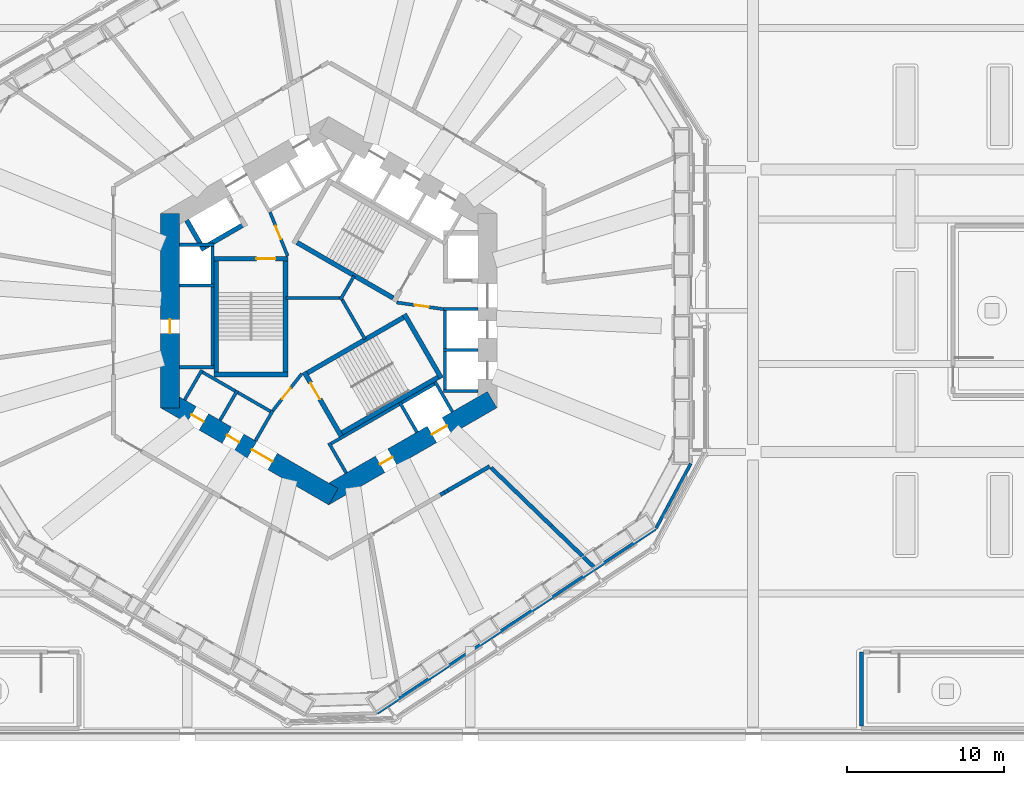
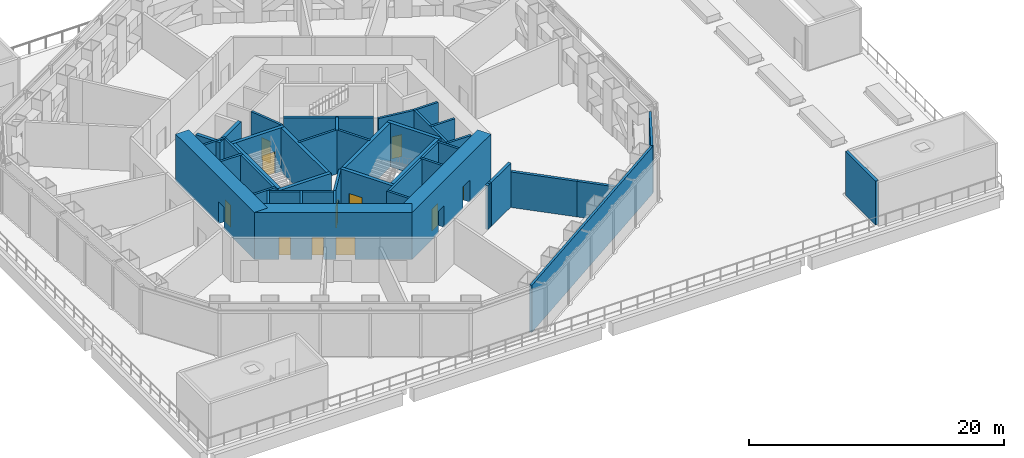
# One storey, part 7 of 20: 44 walls, 11 doors, 11 openings.
"""IFC4 building model written with IfcOpenShell, lengths in metres."""

from ifc_helpers import new_model, si_unit, direction, frame, frame_2d, origin, place, context, subcontext, project, spatial, rectangle, extrude, material, layer, layer_set, type_object, element, fill, save


model = new_model("IFC4")

# Units and contexts
model_context = context("Model", 3, precision=1e-05, world=origin(), true_north=direction((0.0, 1.0)))
body_context = subcontext(model_context, "Body", "Model", "MODEL_VIEW")
ifc_project = project(units=[si_unit("LENGTHUNIT", "METRE"), si_unit("AREAUNIT", "SQUARE_METRE"), si_unit("VOLUMEUNIT", "CUBIC_METRE"), si_unit("PLANEANGLEUNIT", "RADIAN"), si_unit("MASSUNIT", "GRAM", prefix="KILO")], contexts=[model_context])

# Site, building, storey
site_placement = place(None, origin())
site = spatial("IfcSite", under=ifc_project, at=site_placement, CompositionType="ELEMENT")
building_placement = place(site_placement, origin())
building = spatial("IfcBuilding", under=site, at=building_placement, Name="Vanh Sen Convention Tower", CompositionType="ELEMENT")
storey_placement = place(building_placement, frame((0.0, 0.0, 34.5)))
storey = spatial("IfcBuildingStorey", under=building, at=storey_placement, Name="L05", CompositionType="ELEMENT", Elevation=34.5)

# Walls
ifc_material_1 = material(Name="Concrete C40/50", Category="concrete")
ifc_layer_1 = layer(ifc_material_1, 0.25)
ifc_layer_set_1 = layer_set([ifc_layer_1], Name="Concrete C40/50")
wall_type_1 = type_object("IfcWallType", Name="Concrete wall 250 EI 180", PredefinedType="SOLIDWALL", material=ifc_layer_set_1)
wall_1_placement = place(storey_placement, frame((14.159912109375, -13.6884765625, 0.0), z_axis=(0.0, 0.0, 1.0), x_axis=(0.718925227395, -0.695087417103, 0.0)))
element("IfcWall", 1, at=wall_1_placement, inside=storey, type_object=wall_type_1, Name="Fire-resisting wall L05-012", PredefinedType="SOLIDWALL", context=body_context, shape_type="SweptSolid", body=[
    extrude(rectangle(XDim=3.7998046875, YDim=0.25, at=frame_2d((1.89990234375, 0.0))), origin(), (0.0, 0.0, 1.0), 3.39990234375),
])
wall_2_placement = place(storey_placement, frame((7.10498046875, -11.717041015625, 0.0), z_axis=(0.0, 0.0, 1.0), x_axis=(0.866119007285, 0.499837838923, 0.0)))
element("IfcWall", 2, at=wall_2_placement, inside=storey, type_object=wall_type_1, Name="Fire-resisting wall L05-013", PredefinedType="SOLIDWALL", context=body_context, shape_type="SweptSolid", body=[
    extrude(rectangle(XDim=0.30517578125, YDim=0.25, at=frame_2d((0.152587890625, 0.0))), origin(), (0.0, 0.0, 1.0), 4.199951171875),
])
wall_3_placement = place(storey_placement, frame((7.574951171875, -11.44580078125, 0.0), z_axis=(0.0, 0.0, 1.0), x_axis=(-0.86608282171, -0.499900536046, 0.0)))
element("IfcWall", 3, at=wall_3_placement, inside=storey, type_object=wall_type_1, Name="Fire-resisting wall L05-016", PredefinedType="SOLIDWALL", context=body_context, shape_type="SweptSolid", body=[
    extrude(rectangle(XDim=0.2373046875, YDim=0.25, at=frame_2d((0.11865234375, 0.0))), origin(), (0.0, 0.0, 1.0), 4.199951171875),
])
wall_4_placement = place(storey_placement, frame((10.331787109375, -9.9873046875, 0.0), z_axis=(0.0, 0.0, 1.0), x_axis=(0.718927275113, -0.695085299153, 0.0)))
element("IfcWall", 4, at=wall_4_placement, inside=storey, type_object=wall_type_1, Name="Fire-resisting wall L05-017", PredefinedType="SOLIDWALL", context=body_context, shape_type="SweptSolid", body=[
    extrude(rectangle(XDim=5.32470703125, YDim=0.25, at=frame_2d((2.662353515625, 0.0))), origin(), (0.0, 0.0, 1.0), 3.39990234375),
])
wall_5_placement = place(storey_placement, frame((10.24560546875, -9.904052734375, 0.0), z_axis=(0.0, 0.0, 1.0), x_axis=(-0.866047158059, -0.499962318598, 0.0)))
element("IfcWall", 5, at=wall_5_placement, inside=storey, type_object=wall_type_1, Name="Fire-resisting wall L05-018", PredefinedType="SOLIDWALL", context=body_context, shape_type="SweptSolid", body=[
    extrude(rectangle(XDim=3.083740234375, YDim=0.25, at=frame_2d((1.5419921875, 0.0))), origin(), (0.0, 0.0, 1.0), 4.199951171875),
])
ifc_layer_2 = layer(ifc_material_1, 0.25)
ifc_layer_set_2 = layer_set([ifc_layer_2], Name="Concrete C40/50")
wall_type_2 = type_object("IfcWallType", Name="Concrete wall 250 REI 180", PredefinedType="SOLIDWALL", material=ifc_layer_set_2)
wall_6_placement = place(storey_placement, frame((33.89990234375, -26.43994140625, 0.0), z_axis=(0.0, 0.0, 1.0), x_axis=(0.0, 1.0, 0.0)))
element("IfcWall", 6, at=wall_6_placement, inside=storey, type_object=wall_type_2, Name="Fire-resisting wall L05-001", PredefinedType="SOLIDWALL", context=body_context, shape_type="SweptSolid", body=[
    extrude(rectangle(XDim=4.71484375, YDim=0.25, at=frame_2d((2.357421875, 0.0))), origin(), (0.0, 0.0, 1.0), 4.199951171875),
])

# Wall, opening, door
ifc_material_2 = material(Name="Concrete C80/95", Category="concrete")
ifc_layer_3 = layer(ifc_material_2, 1.199951171875)
ifc_layer_set_3 = layer_set([ifc_layer_3], Name="Concrete C80/95")
wall_type_3 = type_object("IfcWallType", Name="Core outer wall 1200 C80/95", PredefinedType="SHEAR", material=ifc_layer_set_3)
wall_7_placement = place(storey_placement, frame((-10.10009765625, 6.177490234375, 0.0), z_axis=(0.0, 0.0, 1.0), x_axis=(0.0, -1.0, 0.0)))
wall_7 = element("IfcWall", 7, at=wall_7_placement, inside=storey, type_object=wall_type_3, Name="Core wall face W L05", PredefinedType="SHEAR", context=body_context, shape_type="SweptSolid", body=[
    extrude(rectangle(XDim=12.35498046875, YDim=1.199951171875, at=frame_2d((6.177490234375, 0.0))), origin(), (0.0, 0.0, 1.0), 4.5),
])
opening_1_placement = place(wall_7_placement, frame((6.7275390625, 0.0, 0.0)))
opening_1 = element("IfcOpeningElement", 8, at=opening_1_placement, cuts=wall_7, Name="Opening D05010", PredefinedType="OPENING", context=body_context, shape_type="SweptSolid", body=[
    extrude(rectangle(XDim=0.89990234375, YDim=2.10009765625, at=frame_2d((0.449951171875, 1.050048828125))), frame((0.0, 0.60986328125, 0.0), z_axis=(0.0, -1.0, 0.0), x_axis=(1.0, 0.0, 0.0)), (0.0, 0.0, 1.0), 1.219970703125),
])
ifc_material_3 = material(Name="Steel S355", Category="steel")
door_type_1 = type_object("IfcDoorType", Name="Plant door 900", OperationType="SINGLE_SWING_LEFT", PredefinedType="DOOR", material=ifc_material_3)
door_1_placement = place(opening_1_placement, origin())
door_1 = element("IfcDoor", 9, at=door_1_placement, inside=storey, type_object=door_type_1, Name="Plant door D05010", OperationType="SINGLE_SWING_LEFT", OverallHeight=2.10009765625, OverallWidth=0.89990234375, PredefinedType="DOOR", context=body_context, shape_type="SweptSolid", body=[
    extrude(rectangle(XDim=0.89990234375, YDim=2.10009765625, at=frame_2d((0.449951171875, 1.050048828125))), frame((0.0, 0.02490234375, 0.0), z_axis=(0.0, -1.0, 0.0), x_axis=(1.0, 0.0, 0.0)), (0.0, 0.0, 1.0), 0.050048828125),
])
fill(opening_1, door_1)

# Wall, openings, doors
wall_8_placement = place(storey_placement, frame((-10.39990234375, -5.657958984375, 0.0), z_axis=(0.0, 0.0, 1.0), x_axis=(0.866021384402, -0.500006961711, 0.0)))
wall_8 = element("IfcWall", 10, at=wall_8_placement, inside=storey, type_object=wall_type_3, Name="Core wall face SW L05", PredefinedType="SHEAR", context=body_context, shape_type="SweptSolid", body=[
    extrude(rectangle(XDim=12.355224609375, YDim=1.199951171875, at=frame_2d((6.177734375, 0.0))), origin(), (0.0, 0.0, 1.0), 4.5),
])
opening_2_placement = place(wall_8_placement, frame((6.377685546875, 0.0, 0.0)))
opening_2 = element("IfcOpeningElement", 11, at=opening_2_placement, cuts=wall_8, Name="Opening D05003", PredefinedType="OPENING", context=body_context, shape_type="SweptSolid", body=[
    extrude(rectangle(XDim=1.5, YDim=2.10009765625, at=frame_2d((0.75, 1.050048828125))), frame((0.0, 0.60986328125, 0.0), z_axis=(0.0, -1.0, 0.0), x_axis=(1.0, 0.0, 0.0)), (0.0, 0.0, 1.0), 1.219970703125),
])
opening_3_placement = place(wall_8_placement, frame((1.927734375, 0.0, 0.0)))
opening_3 = element("IfcOpeningElement", 12, at=opening_3_placement, cuts=wall_8, Name="Opening D05011", PredefinedType="OPENING", context=body_context, shape_type="SweptSolid", body=[
    extrude(rectangle(XDim=0.89990234375, YDim=2.10009765625, at=frame_2d((0.449951171875, 1.050048828125))), frame((0.0, 0.60986328125, 0.0), z_axis=(0.0, -1.0, 0.0), x_axis=(1.0, 0.0, 0.0)), (0.0, 0.0, 1.0), 1.219970703125),
])
opening_4_placement = place(wall_8_placement, frame((4.527587890625, 0.0, 0.0)))
opening_4 = element("IfcOpeningElement", 13, at=opening_4_placement, cuts=wall_8, Name="Opening D05012", PredefinedType="OPENING", context=body_context, shape_type="SweptSolid", body=[
    extrude(rectangle(XDim=0.89990234375, YDim=2.10009765625, at=frame_2d((0.449951171875, 1.050048828125))), frame((0.0, 0.60986328125, 0.0), z_axis=(0.0, -1.0, 0.0), x_axis=(1.0, 0.0, 0.0)), (0.0, 0.0, 1.0), 1.219970703125),
])
door_2_placement = place(opening_3_placement, origin())
door_2 = element("IfcDoor", 14, at=door_2_placement, inside=storey, type_object=door_type_1, Name="Plant door D05011", OperationType="SINGLE_SWING_LEFT", OverallHeight=2.10009765625, OverallWidth=0.89990234375, PredefinedType="DOOR", context=body_context, shape_type="SweptSolid", body=[
    extrude(rectangle(XDim=0.89990234375, YDim=2.10009765625, at=frame_2d((0.449951171875, 1.050048828125))), frame((0.0, 0.02490234375, 0.0), z_axis=(0.0, -1.0, 0.0), x_axis=(1.0, 0.0, 0.0)), (0.0, 0.0, 1.0), 0.050048828125),
])
fill(opening_3, door_2)
door_3_placement = place(opening_4_placement, origin())
door_3 = element("IfcDoor", 15, at=door_3_placement, inside=storey, type_object=door_type_1, Name="Plant door D05012", OperationType="SINGLE_SWING_LEFT", OverallHeight=2.10009765625, OverallWidth=0.89990234375, PredefinedType="DOOR", context=body_context, shape_type="SweptSolid", body=[
    extrude(rectangle(XDim=0.89990234375, YDim=2.10009765625, at=frame_2d((0.449951171875, 1.050048828125))), frame((0.0, 0.02490234375, 0.0), z_axis=(0.0, -1.0, 0.0), x_axis=(1.0, 0.0, 0.0)), (0.0, 0.0, 1.0), 0.050048828125),
])
fill(opening_4, door_3)
door_type_2 = type_object("IfcDoorType", Name="Stair lobby door 1500", OperationType="DOUBLE_DOOR_SINGLE_SWING", PredefinedType="DOOR", material=ifc_material_3)
door_4_placement = place(opening_2_placement, origin())
door_4 = element("IfcDoor", 16, at=door_4_placement, inside=storey, type_object=door_type_2, Name="Stair lobby door D05003", OperationType="DOUBLE_DOOR_SINGLE_SWING", OverallHeight=2.10009765625, OverallWidth=1.5, PredefinedType="DOOR", context=body_context, shape_type="SweptSolid", body=[
    extrude(rectangle(XDim=1.5, YDim=2.10009765625, at=frame_2d((0.75, 1.050048828125))), frame((0.0, 0.02490234375, 0.0), z_axis=(0.0, -1.0, 0.0), x_axis=(1.0, 0.0, 0.0)), (0.0, 0.0, 1.0), 0.050048828125),
])
fill(opening_2, door_4)

wall_9_placement = place(storey_placement, frame((-0.300048828125, -11.835693359375, 0.0), z_axis=(0.0, 0.0, 1.0), x_axis=(0.866021384402, 0.500006961711, 0.0)))
wall_9 = element("IfcWall", 17, at=wall_9_placement, inside=storey, type_object=wall_type_3, Name="Core wall face SE L05", PredefinedType="SHEAR", context=body_context, shape_type="SweptSolid", body=[
    extrude(rectangle(XDim=12.355224609375, YDim=1.199951171875, at=frame_2d((6.177734375, 0.0))), origin(), (0.0, 0.0, 1.0), 4.5),
])
opening_5_placement = place(wall_9_placement, frame((4.127685546875, 0.0, 0.0)))
opening_5 = element("IfcOpeningElement", 18, at=opening_5_placement, cuts=wall_9, Name="Opening D05013", PredefinedType="OPENING", context=body_context, shape_type="SweptSolid", body=[
    extrude(rectangle(XDim=0.89990234375, YDim=2.10009765625, at=frame_2d((0.449951171875, 1.050048828125))), frame((0.0, 0.60986328125, 0.0), z_axis=(0.0, -1.0, 0.0), x_axis=(1.0, 0.0, 0.0)), (0.0, 0.0, 1.0), 1.219970703125),
])
opening_6_placement = place(wall_9_placement, frame((7.927734375, 0.0, 0.0)))
opening_6 = element("IfcOpeningElement", 19, at=opening_6_placement, cuts=wall_9, Name="Opening LD-SV1", PredefinedType="OPENING", context=body_context, shape_type="SweptSolid", body=[
    extrude(rectangle(XDim=1.10009765625, YDim=2.10009765625, at=frame_2d((0.550048828125, 1.050048828125))), frame((0.0, 0.60986328125, 0.0), z_axis=(0.0, -1.0, 0.0), x_axis=(1.0, 0.0, 0.0)), (0.0, 0.0, 1.0), 1.219970703125),
])
ifc_material_4 = material(Name="Stainless steel", Category="steel")
door_type_3 = type_object("IfcDoorType", Name="Lift landing door 1100", OperationType="DOUBLE_DOOR_SLIDING", PredefinedType="DOOR", material=ifc_material_4)
door_5_placement = place(opening_6_placement, origin())
door_5 = element("IfcDoor", 20, at=door_5_placement, inside=storey, type_object=door_type_3, Name="Lift SV1 landing door LD-SV1", OperationType="DOUBLE_DOOR_SLIDING", OverallHeight=2.10009765625, OverallWidth=1.10009765625, PredefinedType="DOOR", context=body_context, shape_type="SweptSolid", body=[
    extrude(rectangle(XDim=1.10009765625, YDim=2.10009765625, at=frame_2d((0.550048828125, 1.050048828125))), frame((0.0, 0.02490234375, 0.0), z_axis=(0.0, -1.0, 0.0), x_axis=(1.0, 0.0, 0.0)), (0.0, 0.0, 1.0), 0.050048828125),
])
fill(opening_6, door_5)
door_6_placement = place(opening_5_placement, origin())
door_6 = element("IfcDoor", 21, at=door_6_placement, inside=storey, type_object=door_type_1, Name="Plant door D05013", OperationType="SINGLE_SWING_LEFT", OverallHeight=2.10009765625, OverallWidth=0.89990234375, PredefinedType="DOOR", context=body_context, shape_type="SweptSolid", body=[
    extrude(rectangle(XDim=0.89990234375, YDim=2.10009765625, at=frame_2d((0.449951171875, 1.050048828125))), frame((0.0, 0.02490234375, 0.0), z_axis=(0.0, -1.0, 0.0), x_axis=(1.0, 0.0, 0.0)), (0.0, 0.0, 1.0), 0.050048828125),
])
fill(opening_5, door_6)

# Walls
ifc_material_5 = material(Name="Masonry blockwork", Category="masonry")
ifc_layer_4 = layer(ifc_material_5, 0.199951171875)
ifc_layer_set_4 = layer_set([ifc_layer_4], Name="Masonry blockwork")
wall_type_4 = type_object("IfcWallType", Name="Core partition 200", PredefinedType="PARTITIONING", material=ifc_layer_set_4)
wall_10_placement = place(storey_placement, frame((0.919921875, 0.800048828125, 0.0), z_axis=(0.0, 0.0, 1.0), x_axis=(-1.0, 0.0, 0.0)))
element("IfcWall", 22, at=wall_10_placement, inside=storey, type_object=wall_type_4, Name="Core partition L05", PredefinedType="PARTITIONING", context=body_context, shape_type="SweptSolid", body=[
    extrude(rectangle(XDim=3.639892578125, YDim=0.199951171875, at=frame_2d((1.81982421875, 0.0))), origin(), (0.0, 0.0, 1.0), 4.199951171875),
])
wall_11_placement = place(storey_placement, frame((0.739990234375, 0.696044921875, 0.0), z_axis=(0.0, 0.0, 1.0), x_axis=(0.499956301907, 0.86605063142, 0.0)))
element("IfcWall", 23, at=wall_11_placement, inside=storey, type_object=wall_type_4, Name="Core partition L05", PredefinedType="PARTITIONING", context=body_context, shape_type="SweptSolid", body=[
    extrude(rectangle(XDim=1.747314453125, YDim=0.199951171875, at=frame_2d((0.87353515625, 0.0))), origin(), (0.0, 0.0, 1.0), 4.199951171875),
])
wall_12_placement = place(storey_placement, frame((0.739990234375, 0.90380859375, 0.0), z_axis=(0.0, 0.0, 1.0), x_axis=(0.500028278809, -0.866009076391, 0.0)))
element("IfcWall", 24, at=wall_12_placement, inside=storey, type_object=wall_type_4, Name="Core partition L05", PredefinedType="PARTITIONING", context=body_context, shape_type="SweptSolid", body=[
    extrude(rectangle(XDim=3.132568359375, YDim=0.199951171875, at=frame_2d((1.56640625, 0.0))), origin(), (0.0, 0.0, 1.0), 4.199951171875),
])
ifc_material_6 = material(Name="Insulated lightweight infill wall")
ifc_layer_5 = layer(ifc_material_6, 0.199951171875)
ifc_layer_set_5 = layer_set([ifc_layer_5], Name="Insulated lightweight infill wall")
wall_type_5 = type_object("IfcWallType", Name="External wall 200", PredefinedType="STANDARD", material=ifc_layer_set_5)
wall_13_placement = place(storey_placement, frame((3.0830078125, -25.60107421875, 0.0), z_axis=(0.0, 0.0, 1.0), x_axis=(0.833884295743, 0.551939291329, 0.0)))
element("IfcWall", 25, at=wall_13_placement, inside=storey, type_object=wall_type_5, Name="External wall SE L05", PredefinedType="STANDARD", context=body_context, shape_type="SweptSolid", body=[
    extrude(rectangle(XDim=21.24609375, YDim=0.199951171875, at=frame_2d((10.623046875, 0.0))), origin(), (0.0, 0.0, 1.0), 4.5),
])
wall_14_placement = place(storey_placement, frame((20.83251953125, -13.838623046875, 0.0), z_axis=(0.0, 0.0, 1.0), x_axis=(0.473321668581, 0.880889662813, 0.0)))
element("IfcWall", 26, at=wall_14_placement, inside=storey, type_object=wall_type_5, Name="External wall CH6 L05", PredefinedType="STANDARD", context=body_context, shape_type="SweptSolid", body=[
    extrude(rectangle(XDim=4.65966796875, YDim=0.199951171875, at=frame_2d((2.329833984375, 0.0))), origin(), (0.0, 0.0, 1.0), 4.5),
])
ifc_material_7 = material(Name="Concrete C60/75", Category="concrete")
ifc_layer_6 = layer(ifc_material_7, 0.300048828125)
ifc_layer_set_6 = layer_set([ifc_layer_6], Name="Concrete C60/75")
wall_type_6 = type_object("IfcWallType", Name="Fire-fighting lift shaft wall 300", PredefinedType="SHEAR", material=ifc_layer_set_6)
wall_15_placement = place(storey_placement, frame((-5.240478515625, 5.576904296875, 0.0), z_axis=(0.0, 0.0, 1.0), x_axis=(-0.866014461049, -0.500018952895, 0.0)))
element("IfcWall", 27, at=wall_15_placement, inside=storey, type_object=wall_type_6, Name="Fire-fighting lift shaft wall L05", PredefinedType="SHEAR", context=body_context, shape_type="SweptSolid", body=[
    extrude(rectangle(XDim=3.349853515625, YDim=0.300048828125, at=frame_2d((1.6748046875, 0.0))), origin(), (0.0, 0.0, 1.0), 4.199951171875),
])
wall_16_placement = place(storey_placement, frame((-7.936767578125, 3.846923828125, 0.0), z_axis=(0.0, 0.0, 1.0), x_axis=(-0.50002983664, 0.866008176907, 0.0)))
element("IfcWall", 28, at=wall_16_placement, inside=storey, type_object=wall_type_6, Name="Fire-fighting lift shaft wall L05", PredefinedType="SHEAR", context=body_context, shape_type="SweptSolid", body=[
    extrude(rectangle(XDim=2.199951171875, YDim=0.300048828125, at=frame_2d((1.10009765625, 0.0))), origin(), (0.0, 0.0, 1.0), 4.199951171875),
])
ifc_layer_7 = layer(ifc_material_1, 0.199951171875)
ifc_layer_set_7 = layer_set([ifc_layer_7], Name="Concrete C40/50")
wall_type_7 = type_object("IfcWallType", Name="Lift shaft wall 200", PredefinedType="PARTITIONING", material=ifc_layer_set_7)
wall_17_placement = place(storey_placement, frame((7.39990234375, -5.199951171875, 0.0), z_axis=(0.0, 0.0, 1.0), x_axis=(0.0, 1.0, 0.0)))
element("IfcWall", 29, at=wall_17_placement, inside=storey, type_object=wall_type_7, Name="Lift shaft wall L05", PredefinedType="PARTITIONING", context=body_context, shape_type="SweptSolid", body=[
    extrude(rectangle(XDim=5.39990234375, YDim=0.199951171875, at=frame_2d((2.699951171875, 0.0))), origin(), (0.0, 0.0, 1.0), 4.199951171875),
])
for number, where, z_axis, x_axis, name in (
    (30, (7.300048828125, -5.10009765625, 0.0), (0.0, 0.0, 1.0), (1.0, 0.0, 0.0), "Lift shaft wall L05"),
    (31, (7.300048828125, -2.5, 0.0), (0.0, 0.0, 1.0), (1.0, 0.0, 0.0), "Lift shaft wall L05"),
    (32, (7.300048828125, 0.10009765625, 0.0), (0.0, 0.0, 1.0), (1.0, 0.0, 0.0), "Lift shaft wall L05"),
):
    element("IfcWall", number, at=place(storey_placement, frame(where, z_axis=z_axis, x_axis=x_axis)), inside=storey, type_object=wall_type_7, Name=name, PredefinedType="PARTITIONING", context=body_context, shape_type="SweptSolid", body=[
        extrude(rectangle(XDim=2.199951171875, YDim=0.199951171875, at=frame_2d((1.10009765625, 0.0))), origin(), (0.0, 0.0, 1.0), 4.199951171875),
    ])
wall_18_placement = place(storey_placement, frame((-7.39990234375, 4.300048828125, 0.0), z_axis=(0.0, 0.0, 1.0), x_axis=(0.0, -1.0, 0.0)))
element("IfcWall", 33, at=wall_18_placement, inside=storey, type_object=wall_type_7, Name="Lift shaft wall L05", PredefinedType="PARTITIONING", context=body_context, shape_type="SweptSolid", body=[
    extrude(rectangle(XDim=8.0, YDim=0.199951171875, at=frame_2d((4.0, 0.0))), origin(), (0.0, 0.0, 1.0), 4.199951171875),
])
for number, where, z_axis, x_axis, name in (
    (34, (-7.300048828125, 4.199951171875, 0.0), (0.0, 0.0, 1.0), (-1.0, 0.0, 0.0), "Lift shaft wall L05"),
    (35, (-7.300048828125, 1.60009765625, 0.0), (0.0, 0.0, 1.0), (-1.0, 0.0, 0.0), "Lift shaft wall L05"),
    (36, (-7.300048828125, -3.60009765625, 0.0), (0.0, 0.0, 1.0), (-1.0, 0.0, 0.0), "Lift shaft wall L05"),
):
    element("IfcWall", number, at=place(storey_placement, frame(where, z_axis=z_axis, x_axis=x_axis)), inside=storey, type_object=wall_type_7, Name=name, PredefinedType="PARTITIONING", context=body_context, shape_type="SweptSolid", body=[
        extrude(rectangle(XDim=2.199951171875, YDim=0.199951171875, at=frame_2d((1.10009765625, 0.0))), origin(), (0.0, 0.0, 1.0), 4.199951171875),
    ])
wall_19_placement = place(storey_placement, frame((-8.203369140625, -3.80859375, 0.0), z_axis=(0.0, 0.0, 1.0), x_axis=(0.866028230842, -0.499995103361, 0.0)))
element("IfcWall", 37, at=wall_19_placement, inside=storey, type_object=wall_type_7, Name="Lift shaft wall L05", PredefinedType="PARTITIONING", context=body_context, shape_type="SweptSolid", body=[
    extrude(rectangle(XDim=5.39990234375, YDim=0.199951171875, at=frame_2d((2.699951171875, 0.0))), origin(), (0.0, 0.0, 1.0), 4.199951171875),
])
for number, where, z_axis, x_axis, name in (
    (38, (-8.066650390625, -3.77197265625, 0.0), (0.0, 0.0, 1.0), (-0.50002983664, -0.866008176907, 0.0), "Lift shaft wall L05"),
    (39, (-5.815185546875, -5.072021484375, 0.0), (0.0, 0.0, 1.0), (-0.499946605688, -0.86605622881, 0.0), "Lift shaft wall L05"),
):
    element("IfcWall", number, at=place(storey_placement, frame(where, z_axis=z_axis, x_axis=x_axis)), inside=storey, type_object=wall_type_7, Name=name, PredefinedType="PARTITIONING", context=body_context, shape_type="SweptSolid", body=[
        extrude(rectangle(XDim=2.199951171875, YDim=0.199951171875, at=frame_2d((1.10009765625, 0.0))), origin(), (0.0, 0.0, 1.0), 4.199951171875),
    ])
wall_20_placement = place(storey_placement, frame((-3.5634765625, -6.3720703125, 0.0), z_axis=(0.0, 0.0, 1.0), x_axis=(-0.499994660107, -0.866028486751, 0.0)))
element("IfcWall", 40, at=wall_20_placement, inside=storey, type_object=wall_type_7, Name="Lift shaft wall L05", PredefinedType="PARTITIONING", context=body_context, shape_type="SweptSolid", body=[
    extrude(rectangle(XDim=2.19970703125, YDim=0.199951171875, at=frame_2d((1.099853515625, 0.0))), origin(), (0.0, 0.0, 1.0), 4.199951171875),
])
wall_21_placement = place(storey_placement, frame((-0.02392578125, -8.55859375, 0.0), z_axis=(0.0, 0.0, 1.0), x_axis=(0.866026010844, 0.49999894854, 0.0)))
element("IfcWall", 41, at=wall_21_placement, inside=storey, type_object=wall_type_7, Name="Lift shaft wall L05", PredefinedType="PARTITIONING", context=body_context, shape_type="SweptSolid", body=[
    extrude(rectangle(XDim=8.0, YDim=0.199951171875, at=frame_2d((4.0, 0.0))), origin(), (0.0, 0.0, 1.0), 4.199951171875),
])
for number, where, z_axis, x_axis, name in (
    (42, (0.0126953125, -8.422119140625, 0.0), (0.0, 0.0, 1.0), (0.500077893725, -0.86598042715, 0.0), "Lift shaft wall L05"),
    (43, (4.51611328125, -5.822021484375, 0.0), (0.0, 0.0, 1.0), (0.499946605688, -0.86605622881, 0.0), "Lift shaft wall L05"),
    (44, (6.767578125, -4.52197265625, 0.0), (0.0, 0.0, 1.0), (0.50002983664, -0.866008176907, 0.0), "Lift shaft wall L05"),
):
    element("IfcWall", number, at=place(storey_placement, frame(where, z_axis=z_axis, x_axis=x_axis)), inside=storey, type_object=wall_type_7, Name=name, PredefinedType="PARTITIONING", context=body_context, shape_type="SweptSolid", body=[
        extrude(rectangle(XDim=2.199951171875, YDim=0.199951171875, at=frame_2d((1.10009765625, 0.0))), origin(), (0.0, 0.0, 1.0), 4.199951171875),
    ])

# Wall, opening, door
ifc_layer_8 = layer(ifc_material_1, 0.199951171875)
ifc_layer_set_8 = layer_set([ifc_layer_8], Name="Concrete C40/50")
wall_type_8 = type_object("IfcWallType", Name="Stair lobby wall 200", PredefinedType="PARTITIONING", material=ifc_layer_set_8)
wall_22_placement = place(storey_placement, frame((4.327392578125, 0.52099609375, 0.0), z_axis=(0.0, 0.0, 1.0), x_axis=(0.990124376366, -0.14019172346, 0.0)))
wall_22 = element("IfcWall", 45, at=wall_22_placement, inside=storey, type_object=wall_type_8, Name="Stair lobby wall L05", PredefinedType="PARTITIONING", context=body_context, shape_type="SweptSolid", body=[
    extrude(rectangle(XDim=3.002197265625, YDim=0.199951171875, at=frame_2d((1.5009765625, 0.0))), origin(), (0.0, 0.0, 1.0), 4.199951171875),
])
opening_7_placement = place(wall_22_placement, frame((1.14990234375, 0.0, 0.0)))
opening_7 = element("IfcOpeningElement", 46, at=opening_7_placement, cuts=wall_22, Name="Opening D05007", PredefinedType="OPENING", context=body_context, shape_type="SweptSolid", body=[
    extrude(rectangle(XDim=0.89990234375, YDim=2.10009765625, at=frame_2d((0.449951171875, 1.050048828125))), frame((0.0, 0.10986328125, 0.0), z_axis=(0.0, -1.0, 0.0), x_axis=(1.0, 0.0, 0.0)), (0.0, 0.0, 1.0), 0.219970703125),
])
door_7_placement = place(opening_7_placement, origin())
door_7 = element("IfcDoor", 47, at=door_7_placement, inside=storey, type_object=door_type_1, Name="Plant door D05007", OperationType="SINGLE_SWING_LEFT", OverallHeight=2.10009765625, OverallWidth=0.89990234375, PredefinedType="DOOR", context=body_context, shape_type="SweptSolid", body=[
    extrude(rectangle(XDim=0.89990234375, YDim=2.10009765625, at=frame_2d((0.449951171875, 1.050048828125))), frame((0.0, 0.02490234375, 0.0), z_axis=(0.0, -1.0, 0.0), x_axis=(1.0, 0.0, 0.0)), (0.0, 0.0, 1.0), 0.050048828125),
])
fill(opening_7, door_7)

wall_23_placement = place(storey_placement, frame((-2.614990234375, 3.487060546875, 0.0), z_axis=(0.0, 0.0, 1.0), x_axis=(-0.373576831041, 0.92759924068, 0.0)))
wall_23 = element("IfcWall", 48, at=wall_23_placement, inside=storey, type_object=wall_type_8, Name="Stair lobby wall L05", PredefinedType="PARTITIONING", context=body_context, shape_type="SweptSolid", body=[
    extrude(rectangle(XDim=3.002197265625, YDim=0.199951171875, at=frame_2d((1.5009765625, 0.0))), origin(), (0.0, 0.0, 1.0), 4.199951171875),
])
opening_8_placement = place(wall_23_placement, frame((1.14990234375, 0.0, 0.0)))
opening_8 = element("IfcOpeningElement", 49, at=opening_8_placement, cuts=wall_23, Name="Opening D05008", PredefinedType="OPENING", context=body_context, shape_type="SweptSolid", body=[
    extrude(rectangle(XDim=0.89990234375, YDim=2.10009765625, at=frame_2d((0.449951171875, 1.050048828125))), frame((0.0, 0.10986328125, 0.0), z_axis=(0.0, -1.0, 0.0), x_axis=(1.0, 0.0, 0.0)), (0.0, 0.0, 1.0), 0.219970703125),
])
door_8_placement = place(opening_8_placement, origin())
door_8 = element("IfcDoor", 50, at=door_8_placement, inside=storey, type_object=door_type_1, Name="Plant door D05008", OperationType="SINGLE_SWING_LEFT", OverallHeight=2.10009765625, OverallWidth=0.89990234375, PredefinedType="DOOR", context=body_context, shape_type="SweptSolid", body=[
    extrude(rectangle(XDim=0.89990234375, YDim=2.10009765625, at=frame_2d((0.449951171875, 1.050048828125))), frame((0.0, 0.02490234375, 0.0), z_axis=(0.0, -1.0, 0.0), x_axis=(1.0, 0.0, 0.0)), (0.0, 0.0, 1.0), 0.050048828125),
])
fill(opening_8, door_8)

wall_24_placement = place(storey_placement, frame((-1.71240234375, -4.00830078125, 0.0), z_axis=(0.0, 0.0, 1.0), x_axis=(-0.616549420702, -0.787316208287, 0.0)))
wall_24 = element("IfcWall", 51, at=wall_24_placement, inside=storey, type_object=wall_type_8, Name="Stair lobby wall L05", PredefinedType="PARTITIONING", context=body_context, shape_type="SweptSolid", body=[
    extrude(rectangle(XDim=3.002197265625, YDim=0.199951171875, at=frame_2d((1.5009765625, 0.0))), origin(), (0.0, 0.0, 1.0), 4.199951171875),
])
opening_9_placement = place(wall_24_placement, frame((1.14990234375, 0.0, 0.0)))
opening_9 = element("IfcOpeningElement", 52, at=opening_9_placement, cuts=wall_24, Name="Opening D05009", PredefinedType="OPENING", context=body_context, shape_type="SweptSolid", body=[
    extrude(rectangle(XDim=0.89990234375, YDim=2.10009765625, at=frame_2d((0.449951171875, 1.050048828125))), frame((0.0, 0.10986328125, 0.0), z_axis=(0.0, -1.0, 0.0), x_axis=(1.0, 0.0, 0.0)), (0.0, 0.0, 1.0), 0.219970703125),
])
door_9_placement = place(opening_9_placement, origin())
door_9 = element("IfcDoor", 53, at=door_9_placement, inside=storey, type_object=door_type_1, Name="Plant door D05009", OperationType="SINGLE_SWING_LEFT", OverallHeight=2.10009765625, OverallWidth=0.89990234375, PredefinedType="DOOR", context=body_context, shape_type="SweptSolid", body=[
    extrude(rectangle(XDim=0.89990234375, YDim=2.10009765625, at=frame_2d((0.449951171875, 1.050048828125))), frame((0.0, 0.02490234375, 0.0), z_axis=(0.0, -1.0, 0.0), x_axis=(1.0, 0.0, 0.0)), (0.0, 0.0, 1.0), 0.050048828125),
])
fill(opening_9, door_9)

# Wall
ifc_layer_9 = layer(ifc_material_7, 0.300048828125)
ifc_layer_set_9 = layer_set([ifc_layer_9], Name="Concrete C60/75")
wall_type_9 = type_object("IfcWallType", Name="Stair wall 300", PredefinedType="SHEAR", material=ifc_layer_set_9)
wall_25_placement = place(storey_placement, frame((4.10302734375, 0.806640625, 0.0), z_axis=(0.0, 0.0, 1.0), x_axis=(-0.866027801685, 0.499995846692, 0.0)))
element("IfcWall", 54, at=wall_25_placement, inside=storey, type_object=wall_type_9, Name="Stair wall L05", PredefinedType="SHEAR", context=body_context, shape_type="SweptSolid", body=[
    extrude(rectangle(XDim=7.06005859375, YDim=0.300048828125, at=frame_2d((3.530029296875, 0.0))), origin(), (0.0, 0.0, 1.0), 4.199951171875),
])

# Wall, opening, door
wall_26_placement = place(storey_placement, frame((-2.60009765625, 3.300048828125, 0.0), z_axis=(0.0, 0.0, 1.0), x_axis=(-1.0, 0.0, 0.0)))
wall_26 = element("IfcWall", 55, at=wall_26_placement, inside=storey, type_object=wall_type_9, Name="Stair wall L05", PredefinedType="SHEAR", context=body_context, shape_type="SweptSolid", body=[
    extrude(rectangle(XDim=4.699951171875, YDim=0.300048828125, at=frame_2d((2.35009765625, 0.0))), origin(), (0.0, 0.0, 1.0), 4.199951171875),
])
opening_10_placement = place(wall_26_placement, frame((0.800048828125, 0.0, 0.0)))
opening_10 = element("IfcOpeningElement", 56, at=opening_10_placement, cuts=wall_26, Name="Opening D05005", PredefinedType="OPENING", context=body_context, shape_type="SweptSolid", body=[
    extrude(rectangle(XDim=1.199951171875, YDim=2.10009765625, at=frame_2d((0.60009765625, 1.050048828125))), frame((0.0, 0.159912109375, 0.0), z_axis=(0.0, -1.0, 0.0), x_axis=(1.0, 0.0, 0.0)), (0.0, 0.0, 1.0), 0.320068359375),
])
door_type_4 = type_object("IfcDoorType", Name="Stair door 1200", OperationType="SINGLE_SWING_RIGHT", PredefinedType="DOOR", material=ifc_material_3)
door_10_placement = place(opening_10_placement, origin())
door_10 = element("IfcDoor", 57, at=door_10_placement, inside=storey, type_object=door_type_4, Name="Stair ST2 door D05005", OperationType="SINGLE_SWING_RIGHT", OverallHeight=2.10009765625, OverallWidth=1.199951171875, PredefinedType="DOOR", context=body_context, shape_type="SweptSolid", body=[
    extrude(rectangle(XDim=1.199951171875, YDim=2.10009765625, at=frame_2d((0.60009765625, 1.050048828125))), frame((0.0, 0.02490234375, 0.0), z_axis=(0.0, -1.0, 0.0), x_axis=(1.0, 0.0, 0.0)), (0.0, 0.0, 1.0), 0.050048828125),
])
fill(opening_10, door_10)

# Walls
wall_27_placement = place(storey_placement, frame((-2.60009765625, -4.06005859375, 0.0), z_axis=(0.0, 0.0, 1.0), x_axis=(-1.0, 0.0, 0.0)))
element("IfcWall", 58, at=wall_27_placement, inside=storey, type_object=wall_type_9, Name="Stair wall L05", PredefinedType="SHEAR", context=body_context, shape_type="SweptSolid", body=[
    extrude(rectangle(XDim=4.699951171875, YDim=0.300048828125, at=frame_2d((2.35009765625, 0.0))), origin(), (0.0, 0.0, 1.0), 4.199951171875),
])
for number, where, z_axis, x_axis, name in (
    (59, (-2.75, 3.14990234375, 0.0), (0.0, 0.0, 1.0), (0.0, -1.0, 0.0), "Stair wall L05"),
    (60, (-7.14990234375, 3.14990234375, 0.0), (0.0, 0.0, 1.0), (0.0, -1.0, 0.0), "Stair wall L05"),
):
    element("IfcWall", number, at=place(storey_placement, frame(where, z_axis=z_axis, x_axis=x_axis)), inside=storey, type_object=wall_type_9, Name=name, PredefinedType="SHEAR", context=body_context, shape_type="SweptSolid", body=[
        extrude(rectangle(XDim=7.059814453125, YDim=0.300048828125, at=frame_2d((3.52978515625, 0.0))), origin(), (0.0, 0.0, 1.0), 4.199951171875),
    ])

# Wall, opening, door
wall_28_placement = place(storey_placement, frame((-1.557861328125, -3.901611328125, 0.0), z_axis=(0.0, 0.0, 1.0), x_axis=(0.499977259774, -0.866038532462, 0.0)))
wall_28 = element("IfcWall", 61, at=wall_28_placement, inside=storey, type_object=wall_type_9, Name="Stair wall L05", PredefinedType="SHEAR", context=body_context, shape_type="SweptSolid", body=[
    extrude(rectangle(XDim=4.699951171875, YDim=0.300048828125, at=frame_2d((2.35009765625, 0.0))), origin(), (0.0, 0.0, 1.0), 4.199951171875),
])
opening_11_placement = place(wall_28_placement, frame((0.800048828125, 0.0, 0.0)))
opening_11 = element("IfcOpeningElement", 62, at=opening_11_placement, cuts=wall_28, Name="Opening D05006", PredefinedType="OPENING", context=body_context, shape_type="SweptSolid", body=[
    extrude(rectangle(XDim=1.199951171875, YDim=2.10009765625, at=frame_2d((0.60009765625, 1.050048828125))), frame((0.0, 0.159912109375, 0.0), z_axis=(0.0, -1.0, 0.0), x_axis=(1.0, 0.0, 0.0)), (0.0, 0.0, 1.0), 0.320068359375),
])
door_11_placement = place(opening_11_placement, origin())
door_11 = element("IfcDoor", 63, at=door_11_placement, inside=storey, type_object=door_type_4, Name="Stair ST3 door D05006", OperationType="SINGLE_SWING_RIGHT", OverallHeight=2.10009765625, OverallWidth=1.199951171875, PredefinedType="DOOR", context=body_context, shape_type="SweptSolid", body=[
    extrude(rectangle(XDim=1.199951171875, YDim=2.10009765625, at=frame_2d((0.60009765625, 1.050048828125))), frame((0.0, 0.02490234375, 0.0), z_axis=(0.0, -1.0, 0.0), x_axis=(1.0, 0.0, 0.0)), (0.0, 0.0, 1.0), 0.050048828125),
])
fill(opening_11, door_11)

# Walls
wall_29_placement = place(storey_placement, frame((4.816162109375, -0.2216796875, 0.0), z_axis=(0.0, 0.0, 1.0), x_axis=(0.499977259774, -0.866038532462, 0.0)))
element("IfcWall", 64, at=wall_29_placement, inside=storey, type_object=wall_type_9, Name="Stair wall L05", PredefinedType="SHEAR", context=body_context, shape_type="SweptSolid", body=[
    extrude(rectangle(XDim=4.699951171875, YDim=0.300048828125, at=frame_2d((2.35009765625, 0.0))), origin(), (0.0, 0.0, 1.0), 4.199951171875),
])
for number, where, z_axis, x_axis, name in (
    (65, (-1.35302734375, -3.95654296875, 0.0), (0.0, 0.0, 1.0), (0.866027801685, 0.499995846692, 0.0), "Stair wall L05"),
    (66, (0.846923828125, -7.76708984375, 0.0), (0.0, 0.0, 1.0), (0.866027801685, 0.499995846692, 0.0), "Stair wall L05"),
):
    element("IfcWall", number, at=place(storey_placement, frame(where, z_axis=z_axis, x_axis=x_axis)), inside=storey, type_object=wall_type_9, Name=name, PredefinedType="SHEAR", context=body_context, shape_type="SweptSolid", body=[
        extrude(rectangle(XDim=7.06005859375, YDim=0.300048828125, at=frame_2d((3.530029296875, 0.0))), origin(), (0.0, 0.0, 1.0), 4.199951171875),
    ])

save(model, "model.ifc")
